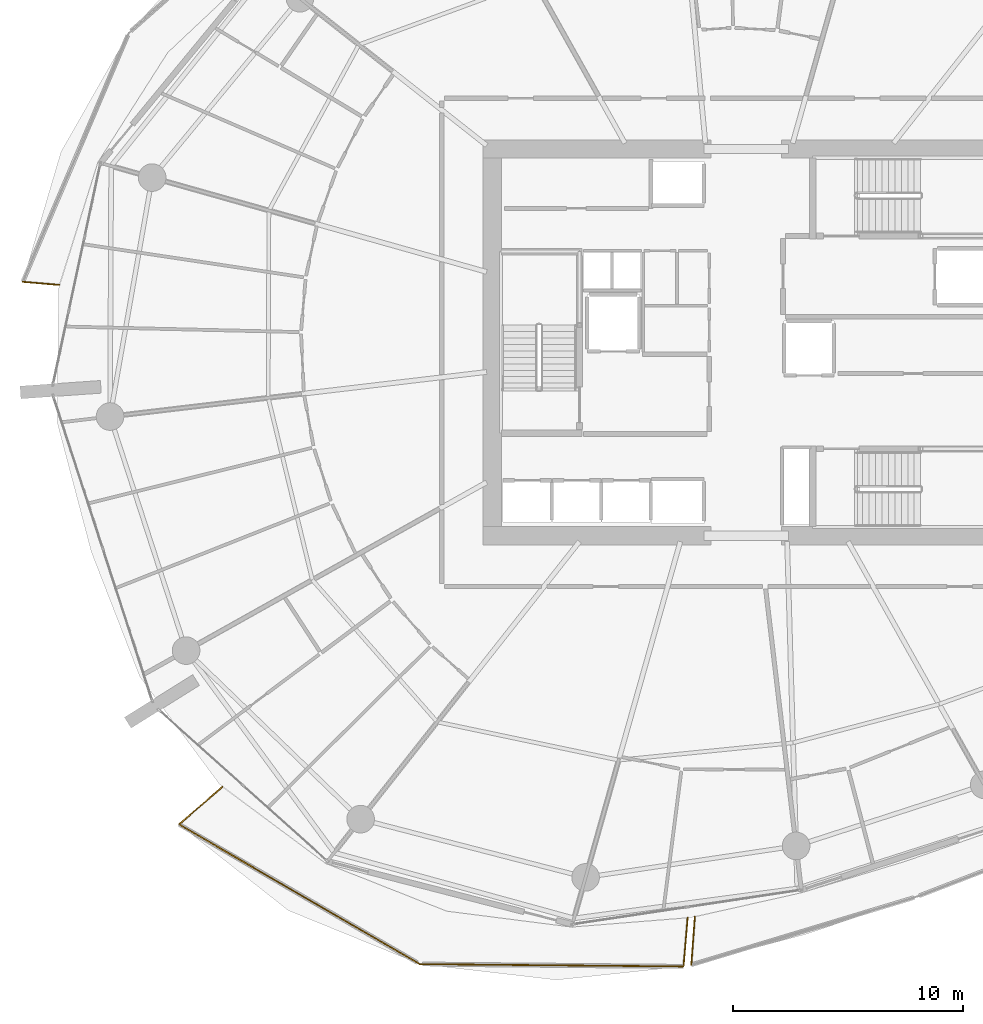
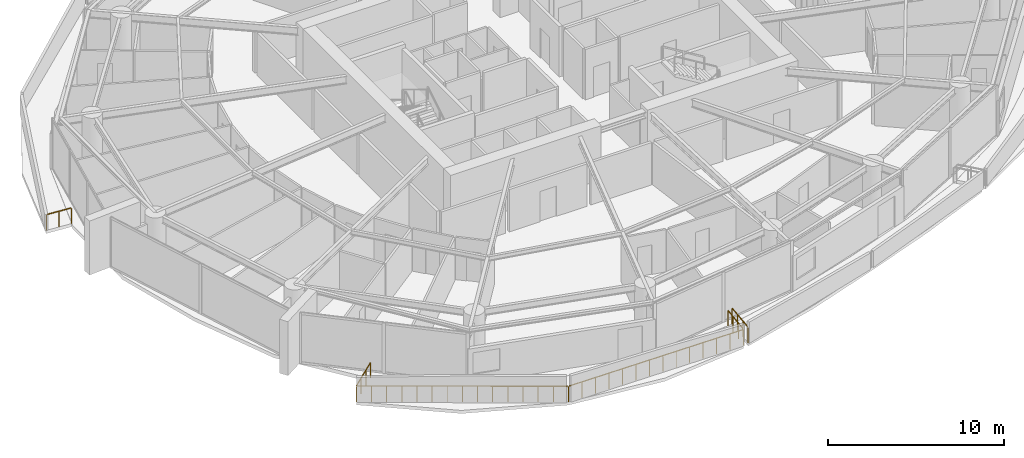
# One storey, part 17 of 23: 6 railings.
"""IFC4 building model written with IfcOpenShell, lengths in metres."""

from ifc_helpers import new_model, si_unit, direction, frame, origin, origin_2d, place, context, subcontext, project, spatial, rectangle, extrude, material, type_object, element, save


model = new_model("IFC4")

# Units and contexts
model_context = context("Model", 3, precision=1e-05, world=origin(), true_north=direction((0.0, 1.0)))
body_context = subcontext(model_context, "Body", "Model", "MODEL_VIEW")
ifc_project = project(units=[si_unit("LENGTHUNIT", "METRE"), si_unit("AREAUNIT", "SQUARE_METRE"), si_unit("VOLUMEUNIT", "CUBIC_METRE"), si_unit("PLANEANGLEUNIT", "RADIAN"), si_unit("MASSUNIT", "GRAM", prefix="KILO")], contexts=[model_context])

# Site, building, storey
site_placement = place(None, origin())
site = spatial("IfcSite", under=ifc_project, at=site_placement, CompositionType="ELEMENT")
building_placement = place(site_placement, origin())
building = spatial("IfcBuilding", under=site, at=building_placement, Name="Kazma Halo Residences", CompositionType="ELEMENT")
storey_placement = place(building_placement, frame((0.0, 0.0, 86.39990234375)))
storey = spatial("IfcBuildingStorey", under=building, at=storey_placement, Name="L21", CompositionType="ELEMENT", Elevation=86.39990234375)

# Railings
ifc_material = material(Name="Aluminium AW-6063 T6 Brushed Cap Rail", Category="aluminium")
railing_type = type_object("IfcRailingType", Name="RLG-BAL-CAP-1120", PredefinedType="BALUSTRADE", material=ifc_material)
railing_1_placement = place(storey_placement, frame((16.998779296875, 44.630615234375, 0.0)))
element("IfcRailing", 1, at=railing_1_placement, inside=storey, type_object=railing_type, Name="L21 NW wave balcony guard 4", PredefinedType="BALUSTRADE", context=body_context, shape_type="SweptSolid", body=[
    extrude(rectangle(XDim=0.050048828125, YDim=0.050048828125, at=origin_2d()), frame((0.04248046875, -0.003662109375, 1.09521484375), z_axis=(0.996408696043, -0.084674142751, 0.0), x_axis=(0.084674142751, 0.996408696043, 0.0)), (0.0, 0.0, 1.0), 1.51513671875),
    extrude(rectangle(XDim=0.0400390625, YDim=0.0400390625, at=origin_2d()), origin(), (0.0, 0.0, 1.0), 1.05810546875),
    extrude(rectangle(XDim=0.0400390625, YDim=0.0400390625, at=origin_2d()), frame((0.79736328125, -0.06787109375, 0.0)), (0.0, 0.0, 1.0), 1.05810546875),
    extrude(rectangle(XDim=0.0400390625, YDim=0.0400390625, at=origin_2d()), frame((1.594482421875, -0.135498046875, 0.0)), (0.0, 0.0, 1.0), 1.05810546875),
])
railing_2_placement = place(storey_placement, frame((25.676025390625, 22.696533203125, 0.0)))
element("IfcRailing", 2, at=railing_2_placement, inside=storey, type_object=railing_type, Name="L21 SW wave balcony guard 1", PredefinedType="BALUSTRADE", context=body_context, shape_type="SweptSolid", body=[
    extrude(rectangle(XDim=0.050048828125, YDim=0.050048828125, at=origin_2d()), frame((-0.0322265625, -0.02783203125, 1.09521484375), z_axis=(-0.756395892715, -0.654114098216, 0.0), x_axis=(0.654114098216, -0.756395892715, 0.0)), (0.0, 0.0, 1.0), 2.4091796875),
    extrude(rectangle(XDim=0.0400390625, YDim=0.0400390625, at=origin_2d()), origin(), (0.0, 0.0, 1.0), 1.05810546875),
    extrude(rectangle(XDim=0.0400390625, YDim=0.0400390625, at=origin_2d()), frame((-0.62890625, -0.5439453125, 0.0)), (0.0, 0.0, 1.0), 1.05810546875),
    extrude(rectangle(XDim=0.0400390625, YDim=0.0400390625, at=origin_2d()), frame((-1.2578125, -1.087646484375, 0.0)), (0.0, 0.0, 1.0), 1.05810546875),
    extrude(rectangle(XDim=0.0400390625, YDim=0.0400390625, at=origin_2d()), frame((-1.88671875, -1.631591796875, 0.0)), (0.0, 0.0, 1.0), 1.05810546875),
])
railing_3_placement = place(storey_placement, frame((23.789306640625, 21.06494140625, 0.0)))
element("IfcRailing", 3, at=railing_3_placement, inside=storey, type_object=railing_type, Name="L21 SW wave balcony guard 2", PredefinedType="BALUSTRADE", context=body_context, shape_type="SweptSolid", body=[
    extrude(rectangle(XDim=0.050048828125, YDim=0.050048828125, at=origin_2d()), frame((0.036865234375, -0.021240234375, 1.09521484375), z_axis=(0.864951044931, -0.50185624423, 0.0), x_axis=(0.50185624423, 0.864951044931, 0.0)), (0.0, 0.0, 1.0), 12.00048828125),
    extrude(rectangle(XDim=0.0400390625, YDim=0.0400390625, at=origin_2d()), origin(), (0.0, 0.0, 1.0), 1.05810546875),
    extrude(rectangle(XDim=0.0400390625, YDim=0.0400390625, at=origin_2d()), frame((0.74658203125, -0.43310546875, 0.0)), (0.0, 0.0, 1.0), 1.05810546875),
    extrude(rectangle(XDim=0.0400390625, YDim=0.0400390625, at=origin_2d()), frame((1.493408203125, -0.866455078125, 0.0)), (0.0, 0.0, 1.0), 1.05810546875),
    extrude(rectangle(XDim=0.0400390625, YDim=0.0400390625, at=origin_2d()), frame((2.239990234375, -1.2998046875, 0.0)), (0.0, 0.0, 1.0), 1.05810546875),
    extrude(rectangle(XDim=0.0400390625, YDim=0.0400390625, at=origin_2d()), frame((2.986572265625, -1.73291015625, 0.0)), (0.0, 0.0, 1.0), 1.05810546875),
    extrude(rectangle(XDim=0.0400390625, YDim=0.0400390625, at=origin_2d()), frame((3.7333984375, -2.166015625, 0.0)), (0.0, 0.0, 1.0), 1.05810546875),
    extrude(rectangle(XDim=0.0400390625, YDim=0.0400390625, at=origin_2d()), frame((4.47998046875, -2.599365234375, 0.0)), (0.0, 0.0, 1.0), 1.05810546875),
    extrude(rectangle(XDim=0.0400390625, YDim=0.0400390625, at=origin_2d()), frame((5.2265625, -3.03271484375, 0.0)), (0.0, 0.0, 1.0), 1.05810546875),
    extrude(rectangle(XDim=0.0400390625, YDim=0.0400390625, at=origin_2d()), frame((5.973388671875, -3.4658203125, 0.0)), (0.0, 0.0, 1.0), 1.05810546875),
    extrude(rectangle(XDim=0.0400390625, YDim=0.0400390625, at=origin_2d()), frame((6.719970703125, -3.899169921875, 0.0)), (0.0, 0.0, 1.0), 1.05810546875),
    extrude(rectangle(XDim=0.0400390625, YDim=0.0400390625, at=origin_2d()), frame((7.466796875, -4.332275390625, 0.0)), (0.0, 0.0, 1.0), 1.05810546875),
    extrude(rectangle(XDim=0.0400390625, YDim=0.0400390625, at=origin_2d()), frame((8.21337890625, -4.765625, 0.0)), (0.0, 0.0, 1.0), 1.05810546875),
    extrude(rectangle(XDim=0.0400390625, YDim=0.0400390625, at=origin_2d()), frame((8.9599609375, -5.19873046875, 0.0)), (0.0, 0.0, 1.0), 1.05810546875),
    extrude(rectangle(XDim=0.0400390625, YDim=0.0400390625, at=origin_2d()), frame((9.706787109375, -5.6318359375, 0.0)), (0.0, 0.0, 1.0), 1.05810546875),
    extrude(rectangle(XDim=0.0400390625, YDim=0.0400390625, at=origin_2d()), frame((10.453369140625, -6.065185546875, 0.0)), (0.0, 0.0, 1.0), 1.05810546875),
])
railing_4_placement = place(storey_placement, frame((34.24267578125, 14.999755859375, 0.0)))
element("IfcRailing", 4, at=railing_4_placement, inside=storey, type_object=railing_type, Name="L21 SW wave balcony guard 3", PredefinedType="BALUSTRADE", context=body_context, shape_type="SweptSolid", body=[
    extrude(rectangle(XDim=0.050048828125, YDim=0.050048828125, at=origin_2d()), frame((0.04248046875, -0.00048828125, 1.09521484375), z_axis=(0.999958803411, -0.009076975288, 0.0), x_axis=(0.009076975288, 0.999958803411, 0.0)), (0.0, 0.0, 1.0), 11.372802734375),
    extrude(rectangle(XDim=0.0400390625, YDim=0.0400390625, at=origin_2d()), origin(), (0.0, 0.0, 1.0), 1.05810546875),
    extrude(rectangle(XDim=0.0400390625, YDim=0.0400390625, at=origin_2d()), frame((0.88134765625, -0.008056640625, 0.0)), (0.0, 0.0, 1.0), 1.05810546875),
    extrude(rectangle(XDim=0.0400390625, YDim=0.0400390625, at=origin_2d()), frame((1.7626953125, -0.01611328125, 0.0)), (0.0, 0.0, 1.0), 1.05810546875),
    extrude(rectangle(XDim=0.0400390625, YDim=0.0400390625, at=origin_2d()), frame((2.64404296875, -0.02392578125, 0.0)), (0.0, 0.0, 1.0), 1.05810546875),
    extrude(rectangle(XDim=0.0400390625, YDim=0.0400390625, at=origin_2d()), frame((3.525390625, -0.031982421875, 0.0)), (0.0, 0.0, 1.0), 1.05810546875),
    extrude(rectangle(XDim=0.0400390625, YDim=0.0400390625, at=origin_2d()), frame((4.40673828125, -0.0400390625, 0.0)), (0.0, 0.0, 1.0), 1.05810546875),
    extrude(rectangle(XDim=0.0400390625, YDim=0.0400390625, at=origin_2d()), frame((5.2880859375, -0.048095703125, 0.0)), (0.0, 0.0, 1.0), 1.05810546875),
    extrude(rectangle(XDim=0.0400390625, YDim=0.0400390625, at=origin_2d()), frame((6.16943359375, -0.055908203125, 0.0)), (0.0, 0.0, 1.0), 1.05810546875),
    extrude(rectangle(XDim=0.0400390625, YDim=0.0400390625, at=origin_2d()), frame((7.05078125, -0.06396484375, 0.0)), (0.0, 0.0, 1.0), 1.05810546875),
    extrude(rectangle(XDim=0.0400390625, YDim=0.0400390625, at=origin_2d()), frame((7.93212890625, -0.072021484375, 0.0)), (0.0, 0.0, 1.0), 1.05810546875),
    extrude(rectangle(XDim=0.0400390625, YDim=0.0400390625, at=origin_2d()), frame((8.8134765625, -0.080078125, 0.0)), (0.0, 0.0, 1.0), 1.05810546875),
    extrude(rectangle(XDim=0.0400390625, YDim=0.0400390625, at=origin_2d()), frame((9.69482421875, -0.087890625, 0.0)), (0.0, 0.0, 1.0), 1.05810546875),
    extrude(rectangle(XDim=0.0400390625, YDim=0.0400390625, at=origin_2d()), frame((10.576171875, -0.095947265625, 0.0)), (0.0, 0.0, 1.0), 1.05810546875),
    extrude(rectangle(XDim=0.0400390625, YDim=0.0400390625, at=origin_2d()), frame((11.45751953125, -0.10400390625, 0.0)), (0.0, 0.0, 1.0), 1.05810546875),
])
railing_5_placement = place(storey_placement, frame((45.7001953125, 14.895751953125, 0.0)))
element("IfcRailing", 5, at=railing_5_placement, inside=storey, type_object=railing_type, Name="L21 SW wave balcony guard 4", PredefinedType="BALUSTRADE", context=body_context, shape_type="SweptSolid", body=[
    extrude(rectangle(XDim=0.050048828125, YDim=0.050048828125, at=origin_2d()), frame((0.003662109375, 0.04248046875, 1.09521484375), z_axis=(0.084551632243, 0.996419099318, 0.0), x_axis=(-0.996419099318, 0.084551632243, 0.0)), (0.0, 0.0, 1.0), 2.034423828125),
    extrude(rectangle(XDim=0.0400390625, YDim=0.0400390625, at=origin_2d()), origin(), (0.0, 0.0, 1.0), 1.05810546875),
    extrude(rectangle(XDim=0.0400390625, YDim=0.0400390625, at=origin_2d()), frame((0.059814453125, 0.703857421875, 0.0)), (0.0, 0.0, 1.0), 1.05810546875),
    extrude(rectangle(XDim=0.0400390625, YDim=0.0400390625, at=origin_2d()), frame((0.119384765625, 1.407958984375, 0.0)), (0.0, 0.0, 1.0), 1.05810546875),
    extrude(rectangle(XDim=0.0400390625, YDim=0.0400390625, at=origin_2d()), frame((0.17919921875, 2.11181640625, 0.0)), (0.0, 0.0, 1.0), 1.05810546875),
])
railing_6_placement = place(storey_placement, frame((46.18994140625, 17.05419921875, 0.0)))
element("IfcRailing", 6, at=railing_6_placement, inside=storey, type_object=railing_type, Name="L21 SSE wave balcony guard 1", PredefinedType="BALUSTRADE", context=body_context, shape_type="SweptSolid", body=[
    extrude(rectangle(XDim=0.050048828125, YDim=0.050048828125, at=origin_2d()), frame((-0.003173828125, -0.04248046875, 1.09521484375), z_axis=(-0.072348163877, -0.997379437919, 0.0), x_axis=(0.997379437919, -0.072348163877, 0.0)), (0.0, 0.0, 1.0), 2.010498046875),
    extrude(rectangle(XDim=0.0400390625, YDim=0.0400390625, at=origin_2d()), origin(), (0.0, 0.0, 1.0), 1.05810546875),
    extrude(rectangle(XDim=0.0400390625, YDim=0.0400390625, at=origin_2d()), frame((-0.050537109375, -0.69677734375, 0.0)), (0.0, 0.0, 1.0), 1.05810546875),
    extrude(rectangle(XDim=0.0400390625, YDim=0.0400390625, at=origin_2d()), frame((-0.10107421875, -1.393310546875, 0.0)), (0.0, 0.0, 1.0), 1.05810546875),
    extrude(rectangle(XDim=0.0400390625, YDim=0.0400390625, at=origin_2d()), frame((-0.151611328125, -2.090087890625, 0.0)), (0.0, 0.0, 1.0), 1.05810546875),
])

save(model, "model.ifc")
